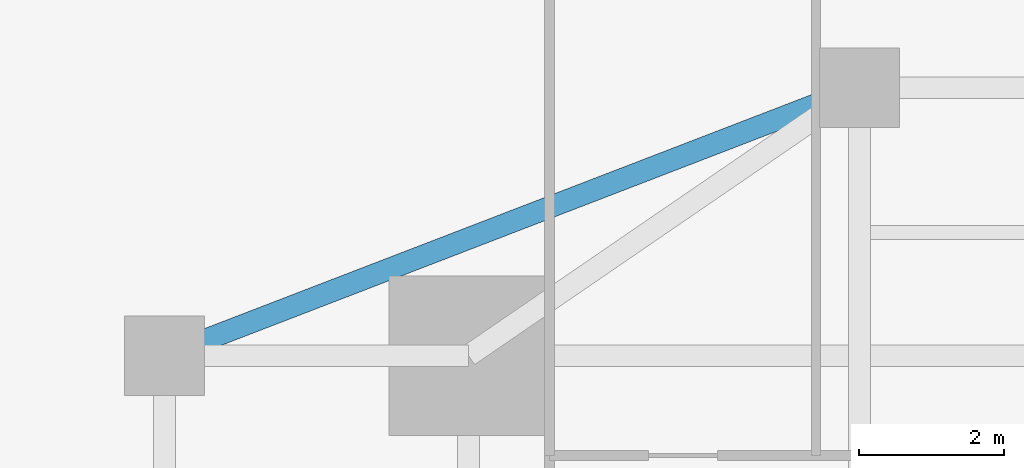
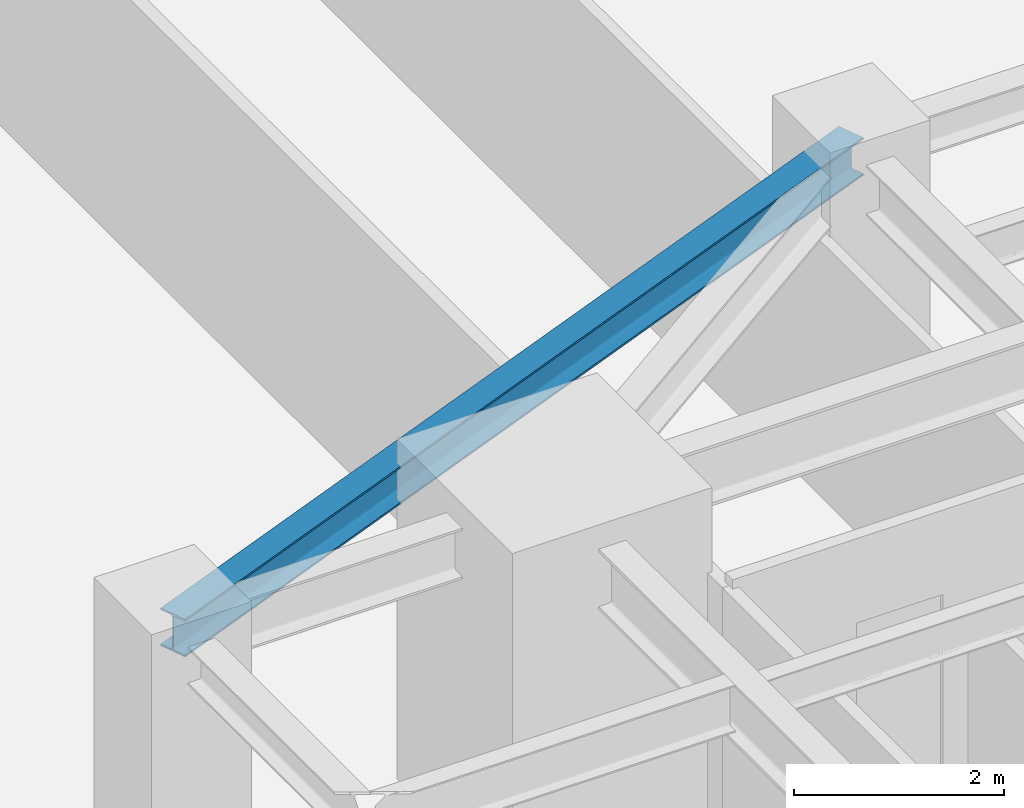
# One storey, part 18 of 30: 1 beam.
"""IFC4 building model written with IfcOpenShell, lengths in metres."""

from ifc_helpers import new_model, si_unit, direction, frame, origin, origin_2d, place, context, subcontext, project, spatial, i_section, extrude, source, transform, mapped, material, material_profile, profile_set, type_object, type_shapes, element, save


model = new_model("IFC4")

# Units and contexts
model_context = context("Model", 3, precision=1e-05, world=origin(), true_north=direction((0.0, 1.0)))
body_context = subcontext(model_context, "Body", "Model", "MODEL_VIEW")
ifc_project = project(units=[si_unit("LENGTHUNIT", "METRE"), si_unit("AREAUNIT", "SQUARE_METRE"), si_unit("VOLUMEUNIT", "CUBIC_METRE"), si_unit("PLANEANGLEUNIT", "RADIAN"), si_unit("MASSUNIT", "GRAM", prefix="KILO")], contexts=[model_context])

# Site, building, storey
site_placement = place(None, origin())
site = spatial("IfcSite", under=ifc_project, at=site_placement, CompositionType="ELEMENT")
building_placement = place(site_placement, origin())
building = spatial("IfcBuilding", under=site, at=building_placement, Name="Krantzveldt Concourse Tower", CompositionType="ELEMENT")
storey_placement = place(building_placement, frame((0.0, 0.0, 40.800048828125)))
storey = spatial("IfcBuildingStorey", under=building, at=storey_placement, Name="L09", CompositionType="ELEMENT", Elevation=40.800048828125)

# Beam
ifc_material = material(Name="Steel S355JR", Category="steel")
ifc_material_profile = material_profile(ifc_material, i_section(OverallWidth=0.300048828125, OverallDepth=0.43994140625, WebThickness=0.011474609375, FlangeThickness=0.02099609375, FilletRadius=0.027099609375, at=origin_2d()), Name="Steel S355JR", Category="steel")
ifc_profile_set = profile_set([ifc_material_profile], Name="Steel S355JR - HEA 450")
beam_type = type_object("IfcBeamType", Name="BM-SP-HEA450", PredefinedType="SPANDREL", material=ifc_profile_set)
shared_shape = source(origin(), body_context, "Body", "SweptSolid", [
    extrude(i_section(OverallWidth=0.300048828125, OverallDepth=0.43994140625, WebThickness=0.011474609375, FlangeThickness=0.02099609375, FilletRadius=0.027099609375, at=origin_2d()), origin(), (0.0, 0.0, 1.0), 10.288330078125),
])
type_shapes(beam_type, [shared_shape])
beam_placement = place(storey_placement, frame((21.0, 37.5, 3.449951171875), z_axis=(0.933097690408, 0.359622997257, 0.0), x_axis=(-0.359622997257, 0.933097690408, 0.0)))
element("IfcBeam", 1, at=beam_placement, inside=storey, type_object=beam_type, Name="L09 Tower Girder SP-R03", PredefinedType="SPANDREL", context=body_context, shape_type="MappedRepresentation", body=[
    mapped(shared_shape, transform((0.0, 0.0, 0.0), x_axis=(1.0, 0.0, 0.0), y_axis=(0.0, 1.0, 0.0), z_axis=(0.0, 0.0, 1.0), scale=1.0)),
])

save(model, "model.ifc")
